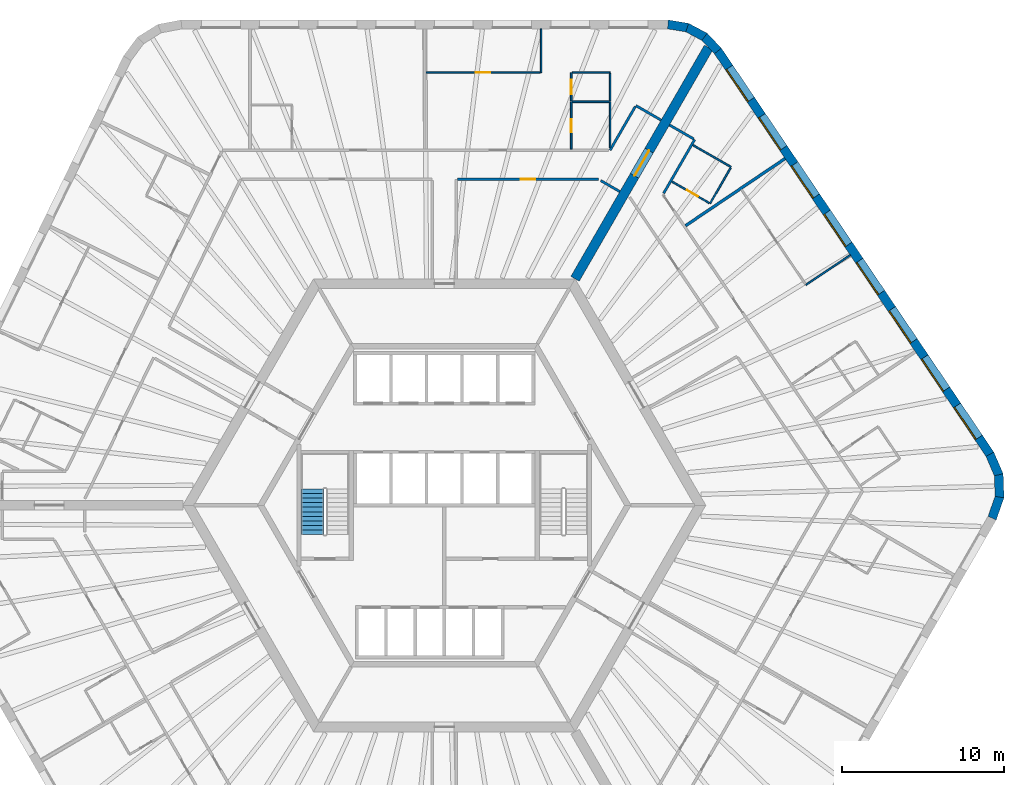
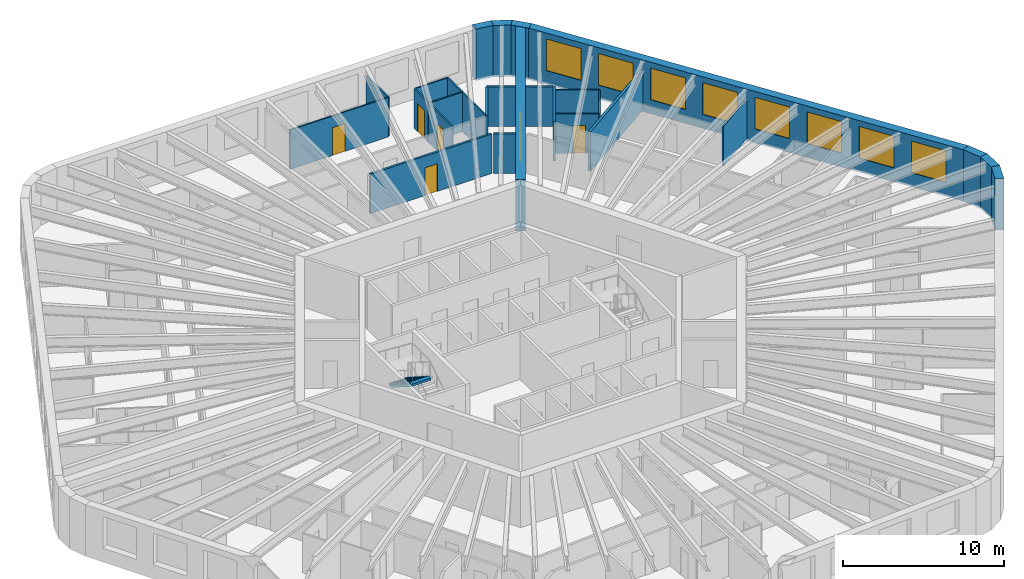
# One storey, part 10 of 12: 27 walls, 8 windows, 6 doors, 1 stair flight, 14 openings, 1 element without a shape of its own.
"""IFC4 building model written with IfcOpenShell, lengths in metres."""

from ifc_helpers import new_model, si_unit, direction, frame, frame_2d, origin, place, context, subcontext, project, spatial, polyline, rectangle, outline, extrude, material, layer, layer_set, type_object, element, fill, aggregate, save


model = new_model("IFC4")

# Units and contexts
model_context = context("Model", 3, precision=1e-05, world=origin(), true_north=direction((0.0, 1.0)))
body_context = subcontext(model_context, "Body", "Model", "MODEL_VIEW")
ifc_project = project(units=[si_unit("LENGTHUNIT", "METRE"), si_unit("AREAUNIT", "SQUARE_METRE"), si_unit("VOLUMEUNIT", "CUBIC_METRE"), si_unit("PLANEANGLEUNIT", "RADIAN"), si_unit("MASSUNIT", "GRAM", prefix="KILO")], contexts=[model_context])

# Site, building, storey
site_placement = place(None, origin())
site = spatial("IfcSite", under=ifc_project, at=site_placement, CompositionType="ELEMENT")
building_placement = place(site_placement, origin())
building = spatial("IfcBuilding", under=site, at=building_placement, Name="Tarnside Tower", CompositionType="ELEMENT")
storey_placement = place(building_placement, frame((0.0, 0.0, 76.5)))
storey = spatial("IfcBuildingStorey", under=building, at=storey_placement, Name="L16", CompositionType="ELEMENT", Elevation=76.5)

# Wall, opening, door
ifc_material_1 = material(Name="Gypsum board partition on steel studs", Category="steel")
ifc_layer_1 = layer(ifc_material_1, 0.10009765625)
ifc_layer_set_1 = layer_set([ifc_layer_1], Name="Bathroom wall 100")
wall_type_1 = type_object("IfcWallType", Name="Bathroom wall 100", PredefinedType="PARTITIONING", material=ifc_layer_set_1)
wall_1_placement = place(storey_placement, frame((7.847900390625, 22.02490234375, 0.0), z_axis=(0.0, 0.0, 1.0), x_axis=(0.0, 1.0, 0.0)))
wall_1 = element("IfcWall", 1, at=wall_1_placement, inside=storey, type_object=wall_type_1, Name="Bathroom wall 04076", PredefinedType="PARTITIONING", context=body_context, shape_type="SweptSolid", body=[
    extrude(rectangle(XDim=2.925048828125, YDim=0.10009765625, at=frame_2d((1.46240234375, 0.0))), origin(), (0.0, 0.0, 1.0), 2.98779296875),
])
opening_1_placement = place(wall_1_placement, frame((1.02490234375, 0.0, 0.0)))
opening_1 = element("IfcOpeningElement", 2, at=opening_1_placement, cuts=wall_1, Name="Opening D-B1", PredefinedType="OPENING", context=body_context, shape_type="SweptSolid", body=[
    extrude(rectangle(XDim=0.800048828125, YDim=2.10009765625, at=frame_2d((0.39990234375, 1.050048828125))), frame((0.0, 0.06005859375, 0.0), z_axis=(0.0, -1.0, 0.0), x_axis=(1.0, 0.0, 0.0)), (0.0, 0.0, 1.0), 0.1201171875),
])
ifc_material_2 = material(Name="Timber door leaf", Category="wood")
door_type_1 = type_object("IfcDoorType", Name="Bathroom door 800", OperationType="NOTDEFINED", PredefinedType="DOOR", material=ifc_material_2)
door_1_placement = place(opening_1_placement, origin())
door_1 = element("IfcDoor", 3, at=door_1_placement, inside=storey, type_object=door_type_1, Name="Bathroom door 04002", OperationType="SINGLE_SWING_RIGHT", OverallHeight=2.10009765625, OverallWidth=0.800048828125, PredefinedType="DOOR", context=body_context, shape_type="SweptSolid", body=[
    extrude(rectangle(XDim=0.800048828125, YDim=2.10009765625, at=frame_2d((0.39990234375, 1.050048828125))), frame((0.0, 0.02490234375, 0.0), z_axis=(0.0, -1.0, 0.0), x_axis=(1.0, 0.0, 0.0)), (0.0, 0.0, 1.0), 0.050048828125),
])
fill(opening_1, door_1)

# Walls
wall_2_placement = place(storey_placement, frame((10.248046875, 24.949951171875, 0.0), z_axis=(0.0, 0.0, 1.0), x_axis=(0.0, -1.0, 0.0)))
element("IfcWall", 4, at=wall_2_placement, inside=storey, type_object=wall_type_1, Name="Bathroom wall 04077", PredefinedType="PARTITIONING", context=body_context, shape_type="SweptSolid", body=[
    extrude(rectangle(XDim=2.849853515625, YDim=0.10009765625, at=frame_2d((1.4248046875, 0.0))), origin(), (0.0, 0.0, 1.0), 2.98779296875),
])
wall_3_placement = place(storey_placement, frame((10.197998046875, 24.949951171875, 0.0), z_axis=(0.0, 0.0, 1.0), x_axis=(-1.0, 0.0, 0.0)))
element("IfcWall", 5, at=wall_3_placement, inside=storey, type_object=wall_type_1, Name="Bathroom wall 04084", PredefinedType="PARTITIONING", context=body_context, shape_type="SweptSolid", body=[
    extrude(rectangle(XDim=2.300048828125, YDim=0.10009765625, at=frame_2d((1.14990234375, 0.0))), origin(), (0.0, 0.0, 1.0), 2.98779296875),
])
wall_4_placement = place(storey_placement, frame((15.36865234375, 22.26953125, 0.0), z_axis=(0.0, 0.0, 1.0), x_axis=(0.866034909742, -0.499983534837, 0.0)))
element("IfcWall", 6, at=wall_4_placement, inside=storey, type_object=wall_type_1, Name="Bathroom wall 04151", PredefinedType="PARTITIONING", context=body_context, shape_type="SweptSolid", body=[
    extrude(rectangle(XDim=2.72509765625, YDim=0.10009765625, at=frame_2d((1.362548828125, 0.0))), origin(), (0.0, 0.0, 1.0), 2.98779296875),
])
wall_5_placement = place(storey_placement, frame((17.70361328125, 20.86376953125, 0.0), z_axis=(0.0, 0.0, 1.0), x_axis=(-0.499948979701, -0.866054858364, 0.0)))
element("IfcWall", 7, at=wall_5_placement, inside=storey, type_object=wall_type_1, Name="Bathroom wall 04152", PredefinedType="PARTITIONING", context=body_context, shape_type="SweptSolid", body=[
    extrude(rectangle(XDim=2.550048828125, YDim=0.10009765625, at=frame_2d((1.27490234375, 0.0))), origin(), (0.0, 0.0, 1.0), 2.98779296875),
])

# Wall, opening, door
wall_6_placement = place(storey_placement, frame((16.385498046875, 18.680419921875, 0.0), z_axis=(0.0, 0.0, 1.0), x_axis=(-0.86604424267, 0.499967368674, 0.0)))
wall_6 = element("IfcWall", 8, at=wall_6_placement, inside=storey, type_object=wall_type_1, Name="Bathroom wall 04153", PredefinedType="PARTITIONING", context=body_context, shape_type="SweptSolid", body=[
    extrude(rectangle(XDim=2.675048828125, YDim=0.10009765625, at=frame_2d((1.33740234375, 0.0))), origin(), (0.0, 0.0, 1.0), 2.98779296875),
])
opening_2_placement = place(wall_6_placement, frame((0.81005859375, 0.0, 0.0)))
opening_2 = element("IfcOpeningElement", 9, at=opening_2_placement, cuts=wall_6, Name="Opening D-B1", PredefinedType="OPENING", context=body_context, shape_type="SweptSolid", body=[
    extrude(rectangle(XDim=0.800048828125, YDim=2.10009765625, at=frame_2d((0.39990234375, 1.050048828125))), frame((0.0, 0.06005859375, 0.0), z_axis=(0.0, -1.0, 0.0), x_axis=(1.0, 0.0, 0.0)), (0.0, 0.0, 1.0), 0.1201171875),
])
door_2_placement = place(opening_2_placement, origin())
door_2 = element("IfcDoor", 10, at=door_2_placement, inside=storey, type_object=door_type_1, Name="Bathroom door 04040", OperationType="SINGLE_SWING_RIGHT", OverallHeight=2.10009765625, OverallWidth=0.800048828125, PredefinedType="DOOR", context=body_context, shape_type="SweptSolid", body=[
    extrude(rectangle(XDim=0.800048828125, YDim=2.10009765625, at=frame_2d((0.39990234375, 1.050048828125))), frame((0.0, 0.02490234375, 0.0), z_axis=(0.0, -1.0, 0.0), x_axis=(1.0, 0.0, 0.0)), (0.0, 0.0, 1.0), 0.050048828125),
])
fill(opening_2, door_2)

ifc_material_3 = material(Name="Concrete C80/95", Category="concrete")
ifc_layer_2 = layer(ifc_material_3, 0.60009765625)
ifc_layer_set_2 = layer_set([ifc_layer_2], Name="Core wall Z1 600 C80/95")
wall_type_2 = type_object("IfcWallType", Name="Core wall Z1 600 C80/95", PredefinedType="SHEAR", material=ifc_layer_set_2)
wall_7_placement = place(storey_placement, frame((8.0830078125, 14.0, -0.14990234375), z_axis=(0.0, 0.0, 1.0), x_axis=(0.499997680643, 0.866026742862, 0.0)))
wall_7 = element("IfcWall", 11, at=wall_7_placement, inside=storey, type_object=wall_type_2, Name="L16 spine wall 1", PredefinedType="SHEAR", context=body_context, shape_type="SweptSolid", body=[
    extrude(rectangle(XDim=16.5087890625, YDim=0.60009765625, at=frame_2d((8.25439453125, 0.0))), origin(), (0.0, 0.0, 1.0), 3.89990234375),
])
opening_3_placement = place(wall_7_placement, frame((7.3544921875, 0.0, 0.14990234375)))
opening_3 = element("IfcOpeningElement", 12, at=opening_3_placement, cuts=wall_7, Name="Opening CD-SPN", PredefinedType="OPENING", context=body_context, shape_type="SweptSolid", body=[
    extrude(rectangle(XDim=1.800048828125, YDim=2.39990234375, at=frame_2d((0.89990234375, 1.199951171875))), frame((0.0, 0.31005859375, 0.0), z_axis=(0.0, -1.0, 0.0), x_axis=(1.0, 0.0, 0.0)), (0.0, 0.0, 1.0), 0.6201171875),
])
ifc_material_4 = material(Name="Steel fire door", Category="steel")
door_type_2 = type_object("IfcDoorType", Name="Spine passage double door FD60 1800x2400", OperationType="NOTDEFINED", PredefinedType="DOOR", material=ifc_material_4)
door_3_placement = place(opening_3_placement, origin())
door_3 = element("IfcDoor", 13, at=door_3_placement, inside=storey, type_object=door_type_2, Name="L16 spine passage door 1", OperationType="DOUBLE_DOOR_SINGLE_SWING", OverallHeight=2.39990234375, OverallWidth=1.800048828125, PredefinedType="DOOR", context=body_context, shape_type="SweptSolid", body=[
    extrude(rectangle(XDim=1.800048828125, YDim=2.39990234375, at=frame_2d((0.89990234375, 1.199951171875))), frame((0.0, 0.02490234375, 0.0), z_axis=(0.0, -1.0, 0.0), x_axis=(1.0, 0.0, 0.0)), (0.0, 0.0, 1.0), 0.050048828125),
])
fill(opening_3, door_3)

# Walls
ifc_layer_3 = layer(ifc_material_1, 0.14990234375)
ifc_layer_set_3 = layer_set([ifc_layer_3], Name="Corridor wall 150 EI 60")
wall_type_3 = type_object("IfcWallType", Name="Corridor wall 150 EI 60", PredefinedType="PARTITIONING", material=ifc_layer_set_3)
wall_8_placement = place(storey_placement, frame((13.400390625, 23.81005859375, 0.0), z_axis=(0.0, 0.0, 1.0), x_axis=(-0.865989075817, 0.500062916607, 0.0)))
element("IfcWall", 14, at=wall_8_placement, inside=storey, type_object=wall_type_3, Name="Corridor wall 04002", PredefinedType="PARTITIONING", context=body_context, shape_type="SweptSolid", body=[
    extrude(rectangle(XDim=1.800048828125, YDim=0.14990234375, at=frame_2d((0.89990234375, 0.0))), origin(), (0.0, 0.0, 1.0), 2.98779296875),
])
wall_9_placement = place(storey_placement, frame((11.803955078125, 24.64501953125, 0.0), z_axis=(0.0, 0.0, 1.0), x_axis=(-0.499978251519, -0.866037959912, 0.0)))
element("IfcWall", 15, at=wall_9_placement, inside=storey, type_object=wall_type_3, Name="Corridor wall 04003", PredefinedType="PARTITIONING", context=body_context, shape_type="SweptSolid", body=[
    extrude(rectangle(XDim=3.112060546875, YDim=0.14990234375, at=frame_2d((1.55615234375, 0.0))), origin(), (0.0, 0.0, 1.0), 2.98779296875),
])

# Wall, opening, door
wall_10_placement = place(storey_placement, frame((0.824951171875, 20.14990234375, 0.0), z_axis=(0.0, 0.0, 1.0), x_axis=(1.0, 0.0, 0.0)))
wall_10 = element("IfcWall", 16, at=wall_10_placement, inside=storey, type_object=wall_type_3, Name="Corridor wall 04021", PredefinedType="PARTITIONING", context=body_context, shape_type="SweptSolid", body=[
    extrude(rectangle(XDim=8.712158203125, YDim=0.14990234375, at=frame_2d((4.35595703125, 0.0))), origin(), (0.0, 0.0, 1.0), 2.98779296875),
])
opening_4_placement = place(wall_10_placement, frame((3.906005859375, 0.0, 0.0)))
opening_4 = element("IfcOpeningElement", 17, at=opening_4_placement, cuts=wall_10, Name="Opening D-S1", PredefinedType="OPENING", context=body_context, shape_type="SweptSolid", body=[
    extrude(rectangle(XDim=0.89990234375, YDim=2.10009765625, at=frame_2d((0.449951171875, 1.050048828125))), frame((0.0, 0.0849609375, 0.0), z_axis=(0.0, -1.0, 0.0), x_axis=(1.0, 0.0, 0.0)), (0.0, 0.0, 1.0), 0.169921875),
])
door_type_3 = type_object("IfcDoorType", Name="Service room door 900 FD30S", OperationType="NOTDEFINED", PredefinedType="DOOR", material=ifc_material_2)
door_4_placement = place(opening_4_placement, origin())
door_4 = element("IfcDoor", 18, at=door_4_placement, inside=storey, type_object=door_type_3, Name="Service door 04042", OperationType="SINGLE_SWING_RIGHT", OverallHeight=2.10009765625, OverallWidth=0.89990234375, PredefinedType="DOOR", context=body_context, shape_type="SweptSolid", body=[
    extrude(rectangle(XDim=0.89990234375, YDim=2.10009765625, at=frame_2d((0.449951171875, 1.050048828125))), frame((0.0, 0.02490234375, 0.0), z_axis=(0.0, -1.0, 0.0), x_axis=(1.0, 0.0, 0.0)), (0.0, 0.0, 1.0), 0.050048828125),
])
fill(opening_4, door_4)

# Walls
wall_11_placement = place(storey_placement, frame((9.6669921875, 20.074951171875, 0.0), z_axis=(0.0, 0.0, 1.0), x_axis=(0.866000994684, -0.500042275419, 0.0)))
element("IfcWall", 19, at=wall_11_placement, inside=storey, type_object=wall_type_3, Name="Corridor wall 04022", PredefinedType="PARTITIONING", context=body_context, shape_type="SweptSolid", body=[
    extrude(rectangle(XDim=1.36572265625, YDim=0.14990234375, at=frame_2d((0.682861328125, 0.0))), origin(), (0.0, 0.0, 1.0), 2.98779296875),
])
wall_12_placement = place(storey_placement, frame((13.55908203125, 19.284912109375, 0.0), z_axis=(0.0, 0.0, 1.0), x_axis=(0.499975646431, 0.866039463868, 0.0)))
element("IfcWall", 20, at=wall_12_placement, inside=storey, type_object=wall_type_3, Name="Corridor wall 04062", PredefinedType="PARTITIONING", context=body_context, shape_type="SweptSolid", body=[
    extrude(rectangle(XDim=3.839599609375, YDim=0.14990234375, at=frame_2d((1.919921875, 0.0))), origin(), (0.0, 0.0, 1.0), 2.98779296875),
])
wall_13_placement = place(storey_placement, frame((15.413818359375, 22.647705078125, 0.0), z_axis=(0.0, 0.0, 1.0), x_axis=(-0.866074815912, 0.499914405916, 0.0)))
element("IfcWall", 21, at=wall_13_placement, inside=storey, type_object=wall_type_3, Name="Corridor wall 04063", PredefinedType="PARTITIONING", context=body_context, shape_type="SweptSolid", body=[
    extrude(rectangle(XDim=1.724853515625, YDim=0.14990234375, at=frame_2d((0.8623046875, 0.0))), origin(), (0.0, 0.0, 1.0), 2.98779296875),
])
ifc_layer_4 = layer(ifc_material_1, 0.179931640625)
ifc_layer_set_4 = layer_set([ifc_layer_4], Name="Demising wall 180 EI 60")
wall_type_4 = type_object("IfcWallType", Name="Demising wall 180 EI 60", PredefinedType="PARTITIONING", material=ifc_layer_set_4)
wall_14_placement = place(storey_placement, frame((21.066162109375, 21.433349609375, 0.0), z_axis=(0.0, 0.0, 1.0), x_axis=(-0.829028170871, -0.559206841788, 0.0)))
element("IfcWall", 22, at=wall_14_placement, inside=storey, type_object=wall_type_4, Name="Demising wall 04148", PredefinedType="PARTITIONING", context=body_context, shape_type="SweptSolid", body=[
    extrude(rectangle(XDim=7.425048828125, YDim=0.179931640625, at=frame_2d((3.71240234375, 0.0))), origin(), (0.0, 0.0, 1.0), 2.98779296875),
])

# Wall, opening, door
ifc_layer_5 = layer(ifc_material_1, 0.10009765625)
ifc_layer_set_5 = layer_set([ifc_layer_5], Name="Partition 100")
wall_type_5 = type_object("IfcWallType", Name="Partition 100", PredefinedType="PARTITIONING", material=ifc_layer_set_5)
wall_15_placement = place(storey_placement, frame((7.847900390625, 25.0, 0.0), z_axis=(0.0, 0.0, 1.0), x_axis=(0.0, 1.0, 0.0)))
wall_15 = element("IfcWall", 23, at=wall_15_placement, inside=storey, type_object=wall_type_5, Name="Partition wall 04078", PredefinedType="PARTITIONING", context=body_context, shape_type="SweptSolid", body=[
    extrude(rectangle(XDim=1.75, YDim=0.10009765625, at=frame_2d((0.875, 0.0))), origin(), (0.0, 0.0, 1.0), 2.98779296875),
])
opening_5_placement = place(wall_15_placement, frame((0.39990234375, 0.0, 0.0)))
opening_5 = element("IfcOpeningElement", 24, at=opening_5_placement, cuts=wall_15, Name="Opening D-I1", PredefinedType="OPENING", context=body_context, shape_type="SweptSolid", body=[
    extrude(rectangle(XDim=0.89990234375, YDim=2.10009765625, at=frame_2d((0.449951171875, 1.050048828125))), frame((0.0, 0.06005859375, 0.0), z_axis=(0.0, -1.0, 0.0), x_axis=(1.0, 0.0, 0.0)), (0.0, 0.0, 1.0), 0.1201171875),
])
door_type_4 = type_object("IfcDoorType", Name="Internal door 900", OperationType="NOTDEFINED", PredefinedType="DOOR", material=ifc_material_2)
door_5_placement = place(opening_5_placement, origin())
door_5 = element("IfcDoor", 25, at=door_5_placement, inside=storey, type_object=door_type_4, Name="Internal door 04003", OperationType="SINGLE_SWING_RIGHT", OverallHeight=2.10009765625, OverallWidth=0.89990234375, PredefinedType="DOOR", context=body_context, shape_type="SweptSolid", body=[
    extrude(rectangle(XDim=0.89990234375, YDim=2.10009765625, at=frame_2d((0.449951171875, 1.050048828125))), frame((0.0, 0.02490234375, 0.0), z_axis=(0.0, -1.0, 0.0), x_axis=(1.0, 0.0, 0.0)), (0.0, 0.0, 1.0), 0.050048828125),
])
fill(opening_5, door_5)

# Walls
wall_16_placement = place(storey_placement, frame((7.89794921875, 26.75, 0.0), z_axis=(0.0, 0.0, 1.0), x_axis=(1.0, 0.0, 0.0)))
element("IfcWall", 26, at=wall_16_placement, inside=storey, type_object=wall_type_5, Name="Partition wall 04079", PredefinedType="PARTITIONING", context=body_context, shape_type="SweptSolid", body=[
    extrude(rectangle(XDim=2.35009765625, YDim=0.10009765625, at=frame_2d((1.175048828125, 0.0))), origin(), (0.0, 0.0, 1.0), 2.98779296875),
])
wall_17_placement = place(storey_placement, frame((10.248046875, 26.699951171875, 0.0), z_axis=(0.0, 0.0, 1.0), x_axis=(0.0, -1.0, 0.0)))
element("IfcWall", 27, at=wall_17_placement, inside=storey, type_object=wall_type_5, Name="Partition wall 04080", PredefinedType="PARTITIONING", context=body_context, shape_type="SweptSolid", body=[
    extrude(rectangle(XDim=1.699951171875, YDim=0.10009765625, at=frame_2d((0.85009765625, 0.0))), origin(), (0.0, 0.0, 1.0), 2.98779296875),
])
wall_18_placement = place(storey_placement, frame((5.989013671875, 29.449951171875, 0.0), z_axis=(0.0, 0.0, 1.0), x_axis=(0.0, -1.0, 0.0)))
element("IfcWall", 28, at=wall_18_placement, inside=storey, type_object=wall_type_5, Name="Partition wall 04081", PredefinedType="PARTITIONING", context=body_context, shape_type="SweptSolid", body=[
    extrude(rectangle(XDim=2.699951171875, YDim=0.10009765625, at=frame_2d((1.35009765625, 0.0))), origin(), (0.0, 0.0, 1.0), 2.98779296875),
])

# Wall, opening, door
wall_19_placement = place(storey_placement, frame((5.93896484375, 26.75, 0.0), z_axis=(0.0, 0.0, 1.0), x_axis=(-1.0, 0.0, 0.0)))
wall_19 = element("IfcWall", 29, at=wall_19_placement, inside=storey, type_object=wall_type_5, Name="Partition wall 04082", PredefinedType="PARTITIONING", context=body_context, shape_type="SweptSolid", body=[
    extrude(rectangle(XDim=7.06005859375, YDim=0.10009765625, at=frame_2d((3.530029296875, 0.0))), origin(), (0.0, 0.0, 1.0), 2.98779296875),
])
opening_6_placement = place(wall_19_placement, frame((3.10009765625, 0.0, 0.0)))
opening_6 = element("IfcOpeningElement", 30, at=opening_6_placement, cuts=wall_19, Name="Opening D-I1", PredefinedType="OPENING", context=body_context, shape_type="SweptSolid", body=[
    extrude(rectangle(XDim=0.89990234375, YDim=2.10009765625, at=frame_2d((0.449951171875, 1.050048828125))), frame((0.0, 0.06005859375, 0.0), z_axis=(0.0, -1.0, 0.0), x_axis=(1.0, 0.0, 0.0)), (0.0, 0.0, 1.0), 0.1201171875),
])
door_6_placement = place(opening_6_placement, origin())
door_6 = element("IfcDoor", 31, at=door_6_placement, inside=storey, type_object=door_type_4, Name="Internal door 04004", OperationType="SINGLE_SWING_LEFT", OverallHeight=2.10009765625, OverallWidth=0.89990234375, PredefinedType="DOOR", context=body_context, shape_type="SweptSolid", body=[
    extrude(rectangle(XDim=0.89990234375, YDim=2.10009765625, at=frame_2d((0.449951171875, 1.050048828125))), frame((0.0, 0.02490234375, 0.0), z_axis=(0.0, -1.0, 0.0), x_axis=(1.0, 0.0, 0.0)), (0.0, 0.0, 1.0), 0.050048828125),
])
fill(opening_6, door_6)

# Walls
wall_20_placement = place(storey_placement, frame((25.09228515625, 15.464111328125, 0.0), z_axis=(0.0, 0.0, 1.0), x_axis=(-0.829033042551, -0.55919961942, 0.0)))
element("IfcWall", 32, at=wall_20_placement, inside=storey, type_object=wall_type_5, Name="Partition wall 04146", PredefinedType="PARTITIONING", context=body_context, shape_type="SweptSolid", body=[
    extrude(rectangle(XDim=3.2998046875, YDim=0.10009765625, at=frame_2d((1.64990234375, 0.0))), origin(), (0.0, 0.0, 1.0), 2.98779296875),
])
ifc_material_5 = material(Name="Facing brick", Category="masonry")
ifc_layer_6 = layer(ifc_material_5, 0.10205078125)
ifc_material_6 = material(Name="Concrete C60/75 precast", Category="concrete")
ifc_layer_7 = layer(ifc_material_6, 0.347900390625)
ifc_material_7 = material(Name="Mineral wool insulation")
ifc_layer_8 = layer(ifc_material_7, 0.10009765625)
ifc_layer_set_6 = layer_set([ifc_layer_6, ifc_layer_7, ifc_layer_8], Name="Tube wall 550 brick faced")
wall_type_6 = type_object("IfcWallType", Name="Tube wall 550 brick faced", PredefinedType="SOLIDWALL", material=ifc_layer_set_6)
wall_21_placement = place(storey_placement, frame((33.865966796875, -0.79248046875, -0.14990234375), z_axis=(0.0, 0.0, 1.0), x_axis=(0.33111537203, 0.943590276765, 0.0)))
element("IfcWall", 33, at=wall_21_placement, inside=storey, type_object=wall_type_6, Name="Tube wall L16 F5 chord 17", PredefinedType="SOLIDWALL", context=body_context, shape_type="SweptSolid", body=[
    extrude(outline(polyline([(-0.025634765625, -0.27490234375), (1.4306640625, -0.27490234375), (1.3271484375, 0.27490234375), (0.025634765625, 0.27490234375), (-0.025634765625, -0.27490234375)])), origin(), (0.0, 0.0, 1.0), 3.89990234375),
])
wall_22_placement = place(storey_placement, frame((34.322509765625, 0.508544921875, -0.14990234375), z_axis=(0.0, 0.0, 1.0), x_axis=(-0.034876908462, 0.999391615562, 0.0)))
element("IfcWall", 34, at=wall_22_placement, inside=storey, type_object=wall_type_6, Name="Tube wall L16 F5 chord 18", PredefinedType="SOLIDWALL", context=body_context, shape_type="SweptSolid", body=[
    extrude(outline(polyline([(-0.0517578125, -0.27490234375), (1.4306640625, -0.27490234375), (1.3271484375, 0.27490234375), (0.0517578125, 0.27490234375), (-0.0517578125, -0.27490234375)])), origin(), (0.0, 0.0, 1.0), 3.89990234375),
])
wall_23_placement = place(storey_placement, frame((34.2744140625, 1.88671875, -0.14990234375), z_axis=(0.0, 0.0, 1.0), x_axis=(-0.396161342798, 0.918180913803, 0.0)))
element("IfcWall", 35, at=wall_23_placement, inside=storey, type_object=wall_type_6, Name="Tube wall L16 F5 chord 19", PredefinedType="SOLIDWALL", context=body_context, shape_type="SweptSolid", body=[
    extrude(outline(polyline([(-0.0517578125, -0.27490234375), (1.40478515625, -0.27490234375), (1.353515625, 0.27490234375), (0.0517578125, 0.27490234375), (-0.0517578125, -0.27490234375)])), origin(), (0.0, 0.0, 1.0), 3.89990234375),
])

# Wall, openings, windows
wall_24_placement = place(storey_placement, frame((33.72802734375, 3.153076171875, -0.14990234375), z_axis=(0.0, 0.0, 1.0), x_axis=(-0.559192411416, 0.82903790445, 0.0)))
wall_24 = element("IfcWall", 36, at=wall_24_placement, inside=storey, type_object=wall_type_6, Name="Tube wall L16 F6 flush 20", PredefinedType="SOLIDWALL", context=body_context, shape_type="SweptSolid", body=[
    extrude(outline(polyline([(-0.025634765625, -0.27490234375), (30.09326171875, -0.27490234375), (30.04833984375, 0.27490234375), (0.025634765625, 0.27490234375), (-0.025634765625, -0.27490234375)])), origin(), (0.0, 0.0, 1.0), 3.89990234375),
])
opening_7_placement = place(wall_24_placement, frame((1.235595703125, 0.0, 1.050048828125)))
opening_7 = element("IfcOpeningElement", 37, at=opening_7_placement, cuts=wall_24, Name="Opening WH", PredefinedType="OPENING", context=body_context, shape_type="SweptSolid", body=[
    extrude(rectangle(XDim=2.39990234375, YDim=2.39990234375, at=frame_2d((1.199951171875, 1.199951171875))), frame((0.0, 0.28515625, 0.0), z_axis=(0.0, -1.0, 0.0), x_axis=(1.0, 0.0, 0.0)), (0.0, 0.0, 1.0), 0.570068359375),
])
opening_8_placement = place(wall_24_placement, frame((4.83544921875, 0.0, 1.050048828125)))
opening_8 = element("IfcOpeningElement", 38, at=opening_8_placement, cuts=wall_24, Name="Opening WH", PredefinedType="OPENING", context=body_context, shape_type="SweptSolid", body=[
    extrude(rectangle(XDim=2.39990234375, YDim=2.39990234375, at=frame_2d((1.199951171875, 1.199951171875))), frame((0.0, 0.28515625, 0.0), z_axis=(0.0, -1.0, 0.0), x_axis=(1.0, 0.0, 0.0)), (0.0, 0.0, 1.0), 0.570068359375),
])
opening_9_placement = place(wall_24_placement, frame((8.435546875, 0.0, 1.050048828125)))
opening_9 = element("IfcOpeningElement", 39, at=opening_9_placement, cuts=wall_24, Name="Opening WH", PredefinedType="OPENING", context=body_context, shape_type="SweptSolid", body=[
    extrude(rectangle(XDim=2.39990234375, YDim=2.39990234375, at=frame_2d((1.199951171875, 1.199951171875))), frame((0.0, 0.28515625, 0.0), z_axis=(0.0, -1.0, 0.0), x_axis=(1.0, 0.0, 0.0)), (0.0, 0.0, 1.0), 0.570068359375),
])
opening_10_placement = place(wall_24_placement, frame((12.035400390625, 0.0, 1.050048828125)))
opening_10 = element("IfcOpeningElement", 40, at=opening_10_placement, cuts=wall_24, Name="Opening WH", PredefinedType="OPENING", context=body_context, shape_type="SweptSolid", body=[
    extrude(rectangle(XDim=2.39990234375, YDim=2.39990234375, at=frame_2d((1.199951171875, 1.199951171875))), frame((0.0, 0.28515625, 0.0), z_axis=(0.0, -1.0, 0.0), x_axis=(1.0, 0.0, 0.0)), (0.0, 0.0, 1.0), 0.570068359375),
])
opening_11_placement = place(wall_24_placement, frame((15.635498046875, 0.0, 1.050048828125)))
opening_11 = element("IfcOpeningElement", 41, at=opening_11_placement, cuts=wall_24, Name="Opening WH", PredefinedType="OPENING", context=body_context, shape_type="SweptSolid", body=[
    extrude(rectangle(XDim=2.39990234375, YDim=2.39990234375, at=frame_2d((1.199951171875, 1.199951171875))), frame((0.0, 0.28515625, 0.0), z_axis=(0.0, -1.0, 0.0), x_axis=(1.0, 0.0, 0.0)), (0.0, 0.0, 1.0), 0.570068359375),
])
opening_12_placement = place(wall_24_placement, frame((19.235595703125, 0.0, 1.050048828125)))
opening_12 = element("IfcOpeningElement", 42, at=opening_12_placement, cuts=wall_24, Name="Opening WH", PredefinedType="OPENING", context=body_context, shape_type="SweptSolid", body=[
    extrude(rectangle(XDim=2.39990234375, YDim=2.39990234375, at=frame_2d((1.199951171875, 1.199951171875))), frame((0.0, 0.28515625, 0.0), z_axis=(0.0, -1.0, 0.0), x_axis=(1.0, 0.0, 0.0)), (0.0, 0.0, 1.0), 0.570068359375),
])
opening_13_placement = place(wall_24_placement, frame((22.83544921875, 0.0, 1.050048828125)))
opening_13 = element("IfcOpeningElement", 43, at=opening_13_placement, cuts=wall_24, Name="Opening WH", PredefinedType="OPENING", context=body_context, shape_type="SweptSolid", body=[
    extrude(rectangle(XDim=2.39990234375, YDim=2.39990234375, at=frame_2d((1.199951171875, 1.199951171875))), frame((0.0, 0.28515625, 0.0), z_axis=(0.0, -1.0, 0.0), x_axis=(1.0, 0.0, 0.0)), (0.0, 0.0, 1.0), 0.570068359375),
])
opening_14_placement = place(wall_24_placement, frame((26.435546875, 0.0, 1.050048828125)))
opening_14 = element("IfcOpeningElement", 44, at=opening_14_placement, cuts=wall_24, Name="Opening WH", PredefinedType="OPENING", context=body_context, shape_type="SweptSolid", body=[
    extrude(rectangle(XDim=2.39990234375, YDim=2.39990234375, at=frame_2d((1.199951171875, 1.199951171875))), frame((0.0, 0.28515625, 0.0), z_axis=(0.0, -1.0, 0.0), x_axis=(1.0, 0.0, 0.0)), (0.0, 0.0, 1.0), 0.570068359375),
])
ifc_material_8 = material(Name="Aluminium-framed double glazing", Category="aluminium")
window_type = type_object("IfcWindowType", Name="Hotel window 2400 x 2400", PartitioningType="DOUBLE_PANEL_VERTICAL", PredefinedType="WINDOW", material=ifc_material_8)
window_1_placement = place(opening_7_placement, frame((0.0, 0.205078125, 0.0)))
window_1 = element("IfcWindow", 45, at=window_1_placement, inside=storey, type_object=window_type, Name="E.WN.L16.F6.00", OverallHeight=2.39990234375, OverallWidth=2.39990234375, PartitioningType="DOUBLE_PANEL_VERTICAL", PredefinedType="WINDOW", context=body_context, shape_type="SweptSolid", body=[
    extrude(rectangle(XDim=2.39990234375, YDim=2.39990234375, at=frame_2d((1.199951171875, 1.199951171875))), frame((0.0, 0.030029296875, 0.0), z_axis=(0.0, -1.0, 0.0), x_axis=(1.0, 0.0, 0.0)), (0.0, 0.0, 1.0), 0.06005859375),
])
fill(opening_7, window_1)
window_2_placement = place(opening_8_placement, frame((0.0, 0.205078125, 0.0)))
window_2 = element("IfcWindow", 46, at=window_2_placement, inside=storey, type_object=window_type, Name="E.WN.L16.F6.01", OverallHeight=2.39990234375, OverallWidth=2.39990234375, PartitioningType="DOUBLE_PANEL_VERTICAL", PredefinedType="WINDOW", context=body_context, shape_type="SweptSolid", body=[
    extrude(rectangle(XDim=2.39990234375, YDim=2.39990234375, at=frame_2d((1.199951171875, 1.199951171875))), frame((0.0, 0.030029296875, 0.0), z_axis=(0.0, -1.0, 0.0), x_axis=(1.0, 0.0, 0.0)), (0.0, 0.0, 1.0), 0.06005859375),
])
fill(opening_8, window_2)
window_3_placement = place(opening_9_placement, frame((0.0, 0.205078125, 0.0)))
window_3 = element("IfcWindow", 47, at=window_3_placement, inside=storey, type_object=window_type, Name="E.WN.L16.F6.02", OverallHeight=2.39990234375, OverallWidth=2.39990234375, PartitioningType="DOUBLE_PANEL_VERTICAL", PredefinedType="WINDOW", context=body_context, shape_type="SweptSolid", body=[
    extrude(rectangle(XDim=2.39990234375, YDim=2.39990234375, at=frame_2d((1.199951171875, 1.199951171875))), frame((0.0, 0.030029296875, 0.0), z_axis=(0.0, -1.0, 0.0), x_axis=(1.0, 0.0, 0.0)), (0.0, 0.0, 1.0), 0.06005859375),
])
fill(opening_9, window_3)
window_4_placement = place(opening_10_placement, frame((0.0, 0.205078125, 0.0)))
window_4 = element("IfcWindow", 48, at=window_4_placement, inside=storey, type_object=window_type, Name="E.WN.L16.F6.03", OverallHeight=2.39990234375, OverallWidth=2.39990234375, PartitioningType="DOUBLE_PANEL_VERTICAL", PredefinedType="WINDOW", context=body_context, shape_type="SweptSolid", body=[
    extrude(rectangle(XDim=2.39990234375, YDim=2.39990234375, at=frame_2d((1.199951171875, 1.199951171875))), frame((0.0, 0.030029296875, 0.0), z_axis=(0.0, -1.0, 0.0), x_axis=(1.0, 0.0, 0.0)), (0.0, 0.0, 1.0), 0.06005859375),
])
fill(opening_10, window_4)
window_5_placement = place(opening_11_placement, frame((0.0, 0.205078125, 0.0)))
window_5 = element("IfcWindow", 49, at=window_5_placement, inside=storey, type_object=window_type, Name="E.WN.L16.F6.04", OverallHeight=2.39990234375, OverallWidth=2.39990234375, PartitioningType="DOUBLE_PANEL_VERTICAL", PredefinedType="WINDOW", context=body_context, shape_type="SweptSolid", body=[
    extrude(rectangle(XDim=2.39990234375, YDim=2.39990234375, at=frame_2d((1.199951171875, 1.199951171875))), frame((0.0, 0.030029296875, 0.0), z_axis=(0.0, -1.0, 0.0), x_axis=(1.0, 0.0, 0.0)), (0.0, 0.0, 1.0), 0.06005859375),
])
fill(opening_11, window_5)
window_6_placement = place(opening_12_placement, frame((0.0, 0.205078125, 0.0)))
window_6 = element("IfcWindow", 50, at=window_6_placement, inside=storey, type_object=window_type, Name="E.WN.L16.F6.05", OverallHeight=2.39990234375, OverallWidth=2.39990234375, PartitioningType="DOUBLE_PANEL_VERTICAL", PredefinedType="WINDOW", context=body_context, shape_type="SweptSolid", body=[
    extrude(rectangle(XDim=2.39990234375, YDim=2.39990234375, at=frame_2d((1.199951171875, 1.199951171875))), frame((0.0, 0.030029296875, 0.0), z_axis=(0.0, -1.0, 0.0), x_axis=(1.0, 0.0, 0.0)), (0.0, 0.0, 1.0), 0.06005859375),
])
fill(opening_12, window_6)
window_7_placement = place(opening_13_placement, frame((0.0, 0.205078125, 0.0)))
window_7 = element("IfcWindow", 51, at=window_7_placement, inside=storey, type_object=window_type, Name="E.WN.L16.F6.06", OverallHeight=2.39990234375, OverallWidth=2.39990234375, PartitioningType="DOUBLE_PANEL_VERTICAL", PredefinedType="WINDOW", context=body_context, shape_type="SweptSolid", body=[
    extrude(rectangle(XDim=2.39990234375, YDim=2.39990234375, at=frame_2d((1.199951171875, 1.199951171875))), frame((0.0, 0.030029296875, 0.0), z_axis=(0.0, -1.0, 0.0), x_axis=(1.0, 0.0, 0.0)), (0.0, 0.0, 1.0), 0.06005859375),
])
fill(opening_13, window_7)
window_8_placement = place(opening_14_placement, frame((0.0, 0.205078125, 0.0)))
window_8 = element("IfcWindow", 52, at=window_8_placement, inside=storey, type_object=window_type, Name="E.WN.L16.F6.07", OverallHeight=2.39990234375, OverallWidth=2.39990234375, PartitioningType="DOUBLE_PANEL_VERTICAL", PredefinedType="WINDOW", context=body_context, shape_type="SweptSolid", body=[
    extrude(rectangle(XDim=2.39990234375, YDim=2.39990234375, at=frame_2d((1.199951171875, 1.199951171875))), frame((0.0, 0.030029296875, 0.0), z_axis=(0.0, -1.0, 0.0), x_axis=(1.0, 0.0, 0.0)), (0.0, 0.0, 1.0), 0.06005859375),
])
fill(opening_14, window_8)

# Walls
wall_25_placement = place(storey_placement, frame((16.91259765625, 28.0830078125, -0.14990234375), z_axis=(0.0, 0.0, 1.0), x_axis=(-0.686196220404, 0.727416488061, 0.0)))
element("IfcWall", 53, at=wall_25_placement, inside=storey, type_object=wall_type_6, Name="Tube wall L16 F6 chord 21", PredefinedType="SOLIDWALL", context=body_context, shape_type="SweptSolid", body=[
    extrude(outline(polyline([(-0.0224609375, -0.27490234375), (1.25341796875, -0.27490234375), (1.1630859375, 0.27490234375), (0.0224609375, 0.27490234375), (-0.0224609375, -0.27490234375)])), origin(), (0.0, 0.0, 1.0), 3.89990234375),
])
wall_26_placement = place(storey_placement, frame((16.08349609375, 28.9619140625, -0.14990234375), z_axis=(0.0, 0.0, 1.0), x_axis=(-0.882995347911, 0.469381737574, 0.0)))
element("IfcWall", 54, at=wall_26_placement, inside=storey, type_object=wall_type_6, Name="Tube wall L16 F6 chord 22", PredefinedType="SOLIDWALL", context=body_context, shape_type="SweptSolid", body=[
    extrude(outline(polyline([(-0.045166015625, -0.27490234375), (1.25341796875, -0.27490234375), (1.1630859375, 0.27490234375), (0.045166015625, 0.27490234375), (-0.045166015625, -0.27490234375)])), origin(), (0.0, 0.0, 1.0), 3.89990234375),
])
wall_27_placement = place(storey_placement, frame((15.0166015625, 29.529052734375, -0.14990234375), z_axis=(0.0, 0.0, 1.0), x_axis=(-0.986746625868, 0.162268593195, 0.0)))
element("IfcWall", 55, at=wall_27_placement, inside=storey, type_object=wall_type_6, Name="Tube wall L16 F6 chord 23", PredefinedType="SOLIDWALL", context=body_context, shape_type="SweptSolid", body=[
    extrude(outline(polyline([(-0.045166015625, -0.27490234375), (1.230712890625, -0.27490234375), (1.185791015625, 0.27490234375), (0.045166015625, 0.27490234375), (-0.045166015625, -0.27490234375)])), origin(), (0.0, 0.0, 1.0), 3.89990234375),
])

# Stair, stair flight
ifc_material_9 = material(Name="Concrete C40/50", Category="concrete")
stair_type = type_object("IfcStairType", Name="Exit stair 1400 clear", PredefinedType="HALF_TURN_STAIR", material=ifc_material_9)
stair_placement = place(storey_placement, origin())
stair = element("IfcStair", 56, at=stair_placement, inside=storey, type_object=stair_type, Name="L16 Exit stair 2", PredefinedType="HALF_TURN_STAIR")
stair_flight_type = type_object("IfcStairFlightType", Name="Exit stair flight 1400", PredefinedType="STRAIGHT", material=ifc_material_9)
stair_flight_placement = place(storey_placement, frame((-8.14990234375, 1.0, 1.949951171875), z_axis=(0.0, 0.0, 1.0), x_axis=(0.0, -1.0, 0.0)))
stair_flight = element("IfcStairFlight", 57, at=stair_flight_placement, type_object=stair_flight_type, Name="ST2 flight 2", NumberOfRisers=11, NumberOfTreads=10, PredefinedType="STRAIGHT", RiserHeight=0.177272727, TreadLength=0.28, context=body_context, shape_type="SweptSolid", body=[
    extrude(outline(polyline([(0.0, 0.0), (0.0, 0.17724609375), (0.280029296875, 0.17724609375), (0.280029296875, 0.3544921875), (0.56005859375, 0.3544921875), (0.56005859375, 0.53173828125), (0.840087890625, 0.53173828125), (0.840087890625, 0.708984375), (1.1201171875, 0.708984375), (1.1201171875, 0.886474609375), (1.39990234375, 0.886474609375), (1.39990234375, 1.063720703125), (1.679931640625, 1.063720703125), (1.679931640625, 1.240966796875), (1.9599609375, 1.240966796875), (1.9599609375, 1.418212890625), (2.239990234375, 1.418212890625), (2.239990234375, 1.595458984375), (2.52001953125, 1.595458984375), (2.52001953125, 1.772705078125), (2.800048828125, 1.772705078125), (2.800048828125, 1.949951171875), (2.800048828125, 1.59521484375), (0.2802734375, 0.0), (0.0, 0.0)])), frame((0.0, 0.699951171875, 0.0), z_axis=(0.0, -1.0, 0.0), x_axis=(1.0, 0.0, 0.0)), (0.0, 0.0, 1.0), 1.39990234375),
])
aggregate(stair, [stair_flight])

save(model, "model.ifc")
